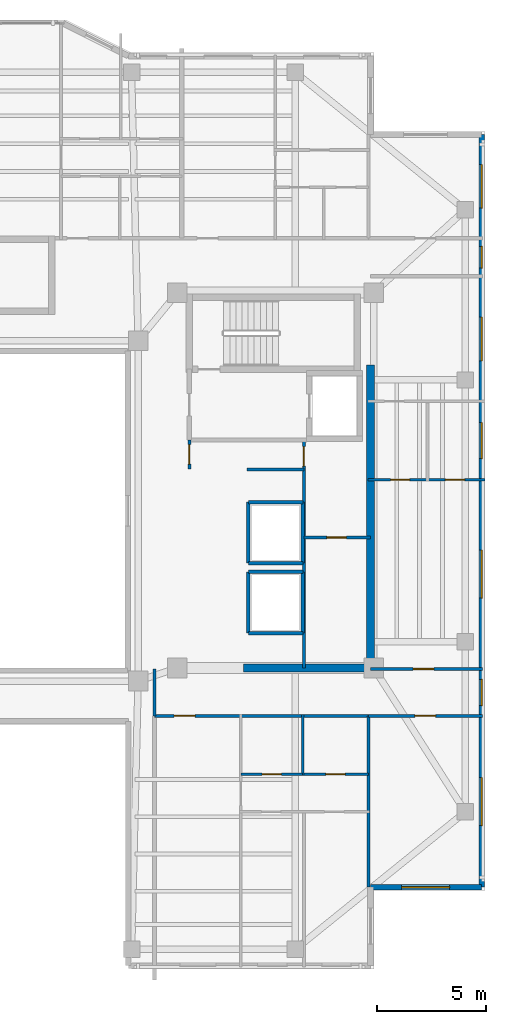
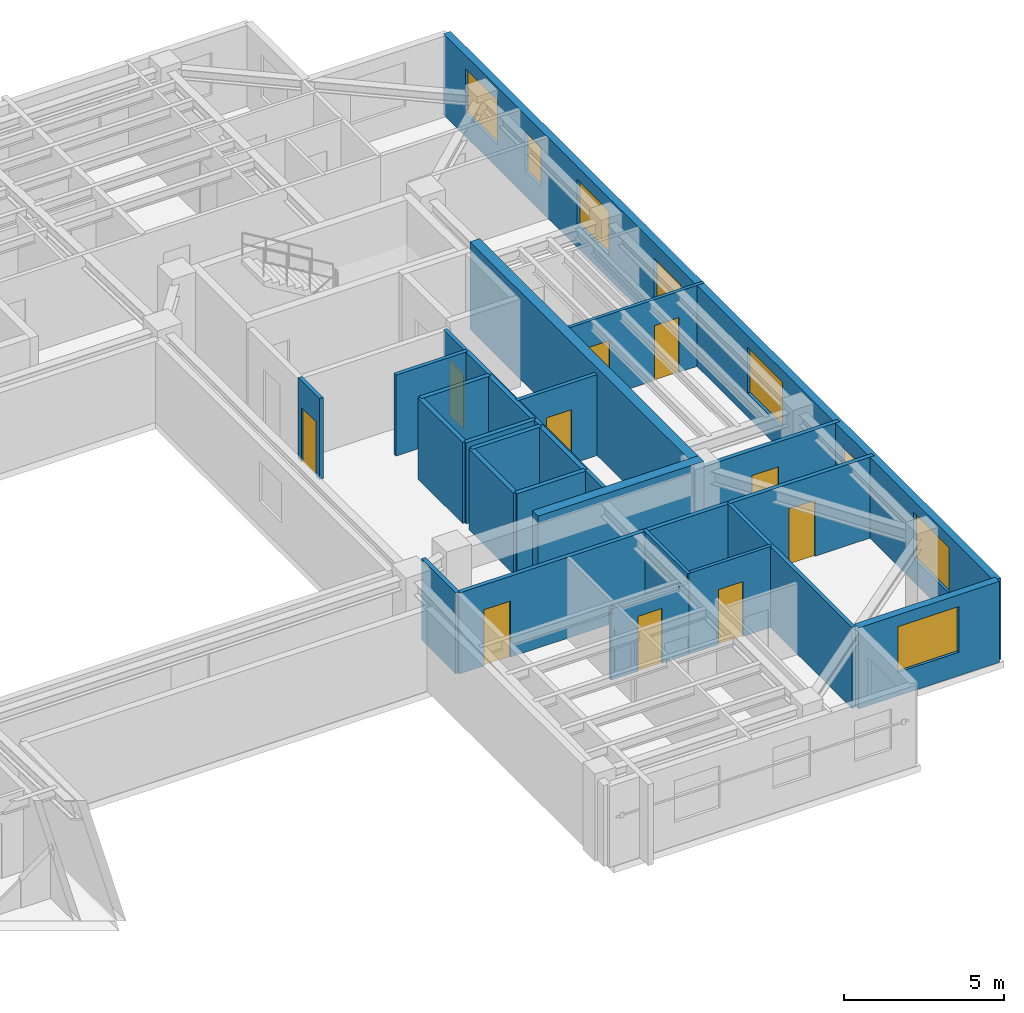
# One storey, part 6 of 12: 25 walls, 10 doors, 8 windows, 18 openings.
"""IFC4 building model written with IfcOpenShell, lengths in metres."""

import ifcopenshell
import ifcopenshell.guid

model = None  # the IFC model being written
_history = None  # IfcOwnerHistory: only IFC2X3 demands one
_inside = {}  # id of a spatial element -> (the spatial element, [elements in it])
_under = {}  # id of a project, library or spatial element -> (it, [spatial elements below it])
_declared = {}  # id of a project -> (the project, [libraries it declares])
_typed = {}  # id of a type object -> (the type object, [elements of that type])
_made_of = {}  # id of a material, layer set ... -> (it, [elements and type objects made of it])


def new_model(schema):
    """Start an empty IFC model of exactly this schema.

    Asked for "IFC4X3", IfcOpenShell would pick the latest addendum, in which some entities
    have other attributes; the version numbers below select the first issue.
    IFC2X3 requires an IfcOwnerHistory on every rooted entity: one is made here for all.
    """
    global model, _history
    if schema == "IFC4X3":
        model = ifcopenshell.file(schema_version=(4, 3, 0, 0))
    else:
        model = ifcopenshell.file(schema=schema)
    _inside.clear()
    _under.clear()
    _declared.clear()
    _typed.clear()
    _made_of.clear()
    _history = None
    if model.schema == "IFC2X3":
        org = make("IfcOrganization", Name="unknown")
        user = make(
            "IfcPersonAndOrganization",
            ThePerson=make("IfcPerson", FamilyName="unknown"),
            TheOrganization=org,
        )
        app = make(
            "IfcApplication",
            ApplicationDeveloper=org,
            Version="unknown",
            ApplicationFullName="unknown",
            ApplicationIdentifier="unknown",
        )
        _history = make(
            "IfcOwnerHistory",
            OwningUser=user,
            OwningApplication=app,
            ChangeAction="ADDED",
            CreationDate=0,
        )
    return model


def make(cls, **values):
    """One entity of the class cls with the attributes given. An attribute that is None is left unset."""
    return model.create_entity(
        cls, **{name: value for name, value in values.items() if value is not None}
    )


def rooted(cls, **values):
    """An entity with a GlobalId (a new one), such as an element, a storey or a relation."""
    return make(cls, GlobalId=ifcopenshell.guid.new(), OwnerHistory=_history, **values)


def si_unit(unit_type, name, prefix=None):
    """IfcSIUnit, for example si_unit("LENGTHUNIT", "METRE", prefix="MILLI")."""
    return make("IfcSIUnit", UnitType=unit_type, Prefix=prefix, Name=name)


def assignment(units):
    """IfcUnitAssignment: the units of a project."""
    return None if units is None else make("IfcUnitAssignment", Units=units)


def point(xyz):
    """IfcCartesianPoint."""
    return None if xyz is None else make("IfcCartesianPoint", Coordinates=xyz)


def direction(xyz):
    """IfcDirection."""
    return None if xyz is None else make("IfcDirection", DirectionRatios=xyz)


def frame(location, z_axis=None, x_axis=None):
    """IfcAxis2Placement3D, a coordinate frame: its origin and axes. An axis left out is left unset."""
    return make(
        "IfcAxis2Placement3D",
        Location=point(location),
        Axis=direction(z_axis),
        RefDirection=direction(x_axis),
    )


def frame_2d(location, x_axis=None):
    """IfcAxis2Placement2D, a coordinate frame in the plane: its origin and x axis."""
    return make(
        "IfcAxis2Placement2D", Location=point(location), RefDirection=direction(x_axis)
    )


def origin():
    """The frame at (0, 0, 0) with its axes left unset."""
    return frame((0.0, 0.0, 0.0))


def place(relative_to, where):
    """IfcLocalPlacement: puts the frame where relative to a parent placement (None: the world)."""
    return make(
        "IfcLocalPlacement", PlacementRelTo=relative_to, RelativePlacement=where
    )


def context(
    kind, dimensions, precision=None, world=None, true_north=None, identifier=None
):
    """IfcGeometricRepresentationContext, for example the 3D "Model" context."""
    return make(
        "IfcGeometricRepresentationContext",
        ContextIdentifier=identifier,
        ContextType=kind,
        CoordinateSpaceDimension=dimensions,
        Precision=precision,
        WorldCoordinateSystem=world,
        TrueNorth=true_north,
    )


def subcontext(parent, identifier, kind, view, scale=None):
    """IfcGeometricRepresentationSubContext, for example "Body" below "Model"."""
    return make(
        "IfcGeometricRepresentationSubContext",
        ContextIdentifier=identifier,
        ContextType=kind,
        ParentContext=parent,
        TargetScale=scale,
        TargetView=view,
    )


def project(units=None, contexts=None):
    """IfcProject with its units and contexts."""
    return rooted(
        "IfcProject",
        Name="project",
        RepresentationContexts=contexts,
        UnitsInContext=assignment(units),
    )


def spatial(cls, under=None, at=None, **own):
    """A site, building, storey or space (cls), placed at a placement, below another one or the project."""
    s = rooted(cls, ObjectPlacement=at, **own)
    if under is not None:
        _under.setdefault(under.id(), (under, []))[1].append(s)
    return s


def profile(cls, at=None, kind="AREA", **sizes):
    """A parametric profile (cls). Its sizes go by their IFC names, for example OverallWidth=200.0."""
    return make(cls, ProfileType=kind, Position=at, **sizes)


def rectangle(**sizes):
    """IfcRectangleProfileDef."""
    return profile("IfcRectangleProfileDef", **sizes)


def extrude(swept, where, along, depth):
    """IfcExtrudedAreaSolid: the profile swept, set in the frame where, extruded along a direction by depth."""
    return make(
        "IfcExtrudedAreaSolid",
        SweptArea=swept,
        Position=where,
        ExtrudedDirection=direction(along),
        Depth=depth,
    )


def shape(context_of_items, identifier, shape_type, items):
    """IfcShapeRepresentation: the items that make up one representation, for example the "Body"."""
    return make(
        "IfcShapeRepresentation",
        ContextOfItems=context_of_items,
        RepresentationIdentifier=identifier,
        RepresentationType=shape_type,
        Items=items,
    )


def material(Name=None, Category=None):
    """IfcMaterial."""
    return make("IfcMaterial", Name=Name, Category=Category)


def layer(
    of_material, thickness, ventilated=None, Name=None, Category=None, Priority=None
):
    """IfcMaterialLayer: one layer of a wall or slab, of a material (None: an air gap)."""
    return make(
        "IfcMaterialLayer",
        Material=of_material,
        LayerThickness=thickness,
        IsVentilated=ventilated,
        Name=Name,
        Category=Category,
        Priority=Priority,
    )


def layer_set(layers, Name=None):
    """IfcMaterialLayerSet."""
    return make("IfcMaterialLayerSet", MaterialLayers=layers, LayerSetName=Name)


def made_of(thing, what):
    """Note that an element or type object is made of a material, layer set ...; save() writes the relation."""
    if what is not None:
        _made_of.setdefault(what.id(), (what, []))[1].append(thing)
    return thing


def type_object(cls, material=None, **own):
    """A type object (cls), such as IfcWallType, which elements share."""
    return made_of(rooted(cls, **own), material)


def element(
    cls,
    number,
    at=None,
    inside=None,
    cuts=None,
    type_object=None,
    material=None,
    context=None,
    identifier="Body",
    shape_type=None,
    held_by="IfcProductDefinitionShape",
    body=None,
    shapes=None,
    **own,
):
    """One element of the class cls, such as IfcWall. Its Tag is "e" and its number.

    at: its placement. inside: the storey or other place that contains it. cuts: it is an
    opening in that element (IfcRelVoidsElement). A single representation is given by context,
    identifier, shape_type and body (its items); several are given by shapes. held_by: the class
    of the entity that holds the representations. save() writes the other relations.
    """
    e = rooted(cls, Tag="e%d" % number, ObjectPlacement=at, **own)
    if body is not None:
        shapes = [shape(context, identifier, shape_type, body)]
    if shapes is not None:
        e.Representation = make(held_by, Representations=shapes)
    if inside is not None:
        _inside.setdefault(inside.id(), (inside, []))[1].append(e)
    if cuts is not None:
        rooted(
            "IfcRelVoidsElement", RelatingBuildingElement=cuts, RelatedOpeningElement=e
        )
    if type_object is not None:
        _typed.setdefault(type_object.id(), (type_object, []))[1].append(e)
    return made_of(e, material)


def fill(opening, filler):
    """IfcRelFillsElement: the door or window that sits in an opening."""
    return rooted(
        "IfcRelFillsElement",
        RelatingOpeningElement=opening,
        RelatedBuildingElement=filler,
    )


def aggregate(whole, parts):
    """IfcRelAggregates: a whole, such as a stair, and the parts it consists of."""
    return rooted("IfcRelAggregates", RelatingObject=whole, RelatedObjects=parts)


def save(model, path):
    """Write the relations noted so far, then the file.

    IfcRelAggregates (storeys below a building ...), IfcRelContainedInSpatialStructure (elements
    in a storey), IfcRelDefinesByType, IfcRelAssociatesMaterial and IfcRelDeclares: one each for
    every whole, place, type object, material and project.
    """
    for whole, parts in _under.values():
        aggregate(whole, parts)
    for where, things in _inside.values():
        rooted(
            "IfcRelContainedInSpatialStructure",
            RelatedElements=things,
            RelatingStructure=where,
        )
    for kind, things in _typed.values():
        rooted("IfcRelDefinesByType", RelatedObjects=things, RelatingType=kind)
    for what, things in _made_of.values():
        rooted("IfcRelAssociatesMaterial", RelatedObjects=things, RelatingMaterial=what)
    for by, libraries in _declared.values():
        rooted("IfcRelDeclares", RelatingContext=by, RelatedDefinitions=libraries)
    model.write(path)


model = new_model("IFC4")

# Units and contexts
model_context = context("Model", 3, precision=1e-05, world=origin(), true_north=direction((0.0, 1.0)))
body_context = subcontext(model_context, "Body", "Model", "MODEL_VIEW")
ifc_project = project(units=[si_unit("LENGTHUNIT", "METRE"), si_unit("AREAUNIT", "SQUARE_METRE"), si_unit("VOLUMEUNIT", "CUBIC_METRE"), si_unit("PLANEANGLEUNIT", "RADIAN"), si_unit("MASSUNIT", "GRAM", prefix="KILO")], contexts=[model_context])

# Site, building, storey
site_placement = place(None, origin())
site = spatial("IfcSite", under=ifc_project, at=site_placement, CompositionType="ELEMENT")
building_placement = place(site_placement, origin())
building = spatial("IfcBuilding", under=site, at=building_placement, Name="Tarnavaz Court Tower", CompositionType="ELEMENT")
storey_placement = place(building_placement, frame((0.0, 0.0, 220.39990234375)))
storey = spatial("IfcBuildingStorey", under=building, at=storey_placement, Name="L60", CompositionType="ELEMENT", Elevation=220.39990234375)

# Walls
ifc_material_1 = material(Name="Concrete C50/60", Category="concrete")
ifc_layer_1 = layer(ifc_material_1, 0.35009765625)
ifc_layer_set_1 = layer_set([ifc_layer_1], Name="Concrete C50/60")
wall_type_1 = type_object("IfcWallType", Name="WL-CORE-350-C50", PredefinedType="SHEAR", material=ifc_layer_set_1)
wall_1_placement = place(storey_placement, frame((18.449951171875, -7.375, 0.0), z_axis=(0.0, 0.0, 1.0), x_axis=(0.0, 1.0, 0.0)))
element("IfcWall", 1, at=wall_1_placement, inside=storey, type_object=wall_type_1, Name="L60 East Core Shear Wall 047", PredefinedType="SHEAR", context=body_context, shape_type="SweptSolid", body=[
    extrude(rectangle(XDim=14.050048828125, YDim=0.35009765625, at=frame_2d((7.02490234375, 0.0))), origin(), (0.0, 0.0, 1.0), 3.35009765625),
])
wall_2_placement = place(storey_placement, frame((12.625, -7.199951171875, 0.0), z_axis=(0.0, 0.0, 1.0), x_axis=(1.0, 0.0, 0.0)))
element("IfcWall", 2, at=wall_2_placement, inside=storey, type_object=wall_type_1, Name="L60 East Core South Shear Wall 048", PredefinedType="SHEAR", context=body_context, shape_type="SweptSolid", body=[
    extrude(rectangle(XDim=6.0, YDim=0.35009765625, at=frame_2d((3.0, 0.0))), origin(), (0.0, 0.0, 1.0), 3.35009765625),
])

# Wall, openings, windows
ifc_material_2 = material(Name="Precast Concrete C40/50", Category="concrete")
ifc_layer_2 = layer(ifc_material_2, 0.260009765625)
ifc_layer_set_2 = layer_set([ifc_layer_2], Name="Precast Concrete C40/50")
wall_type_2 = type_object("IfcWallType", Name="WL-EXT-260", PredefinedType="SOLIDWALL", material=ifc_layer_set_2)
wall_3_placement = place(storey_placement, frame((23.550048828125, 17.25, 0.0), z_axis=(0.0, 0.0, 1.0), x_axis=(0.0, -1.0, 0.0)))
wall_3 = element("IfcWall", 3, at=wall_3_placement, inside=storey, type_object=wall_type_2, Name="L60 Exterior Terracotta Facade Wall 12", PredefinedType="SOLIDWALL", context=body_context, shape_type="SweptSolid", body=[
    extrude(rectangle(XDim=34.5, YDim=0.260009765625, at=frame_2d((17.25, 0.0))), origin(), (0.0, 0.0, 1.0), 3.10009765625),
])
opening_1_placement = place(wall_3_placement, frame((1.375, 0.0, 0.89990234375)))
opening_1 = element("IfcOpeningElement", 4, at=opening_1_placement, cuts=wall_3, Name="Opening W08", PredefinedType="OPENING", context=body_context, shape_type="SweptSolid", body=[
    extrude(rectangle(XDim=2.0, YDim=1.699951171875, at=frame_2d((1.0, 0.85009765625))), frame((0.0, 0.139892578125, 0.0), z_axis=(0.0, -1.0, 0.0), x_axis=(1.0, 0.0, 0.0)), (0.0, 0.0, 1.0), 0.280029296875),
])
opening_2_placement = place(wall_3_placement, frame((5.125, 0.0, 0.949951171875)))
opening_2 = element("IfcOpeningElement", 5, at=opening_2_placement, cuts=wall_3, Name="Opening W14", PredefinedType="OPENING", context=body_context, shape_type="SweptSolid", body=[
    extrude(rectangle(XDim=1.0, YDim=1.5, at=frame_2d((0.5, 0.75))), frame((0.0, 0.139892578125, 0.0), z_axis=(0.0, -1.0, 0.0), x_axis=(1.0, 0.0, 0.0)), (0.0, 0.0, 1.0), 0.280029296875),
])
opening_3_placement = place(wall_3_placement, frame((8.375, 0.0, 0.89990234375)))
opening_3 = element("IfcOpeningElement", 6, at=opening_3_placement, cuts=wall_3, Name="Opening W08", PredefinedType="OPENING", context=body_context, shape_type="SweptSolid", body=[
    extrude(rectangle(XDim=2.0, YDim=1.699951171875, at=frame_2d((1.0, 0.85009765625))), frame((0.0, 0.139892578125, 0.0), z_axis=(0.0, -1.0, 0.0), x_axis=(1.0, 0.0, 0.0)), (0.0, 0.0, 1.0), 0.280029296875),
])
opening_4_placement = place(wall_3_placement, frame((13.199951171875, 0.0, 0.89990234375)))
opening_4 = element("IfcOpeningElement", 7, at=opening_4_placement, cuts=wall_3, Name="Opening W02", PredefinedType="OPENING", context=body_context, shape_type="SweptSolid", body=[
    extrude(rectangle(XDim=1.64990234375, YDim=1.60009765625, at=frame_2d((0.824951171875, 0.800048828125))), frame((0.0, 0.139892578125, 0.0), z_axis=(0.0, -1.0, 0.0), x_axis=(1.0, 0.0, 0.0)), (0.0, 0.0, 1.0), 0.280029296875),
])
opening_5_placement = place(wall_3_placement, frame((19.050048828125, 0.0, 0.89990234375)))
opening_5 = element("IfcOpeningElement", 8, at=opening_5_placement, cuts=wall_3, Name="Opening W07", PredefinedType="OPENING", context=body_context, shape_type="SweptSolid", body=[
    extrude(rectangle(XDim=2.199951171875, YDim=1.75, at=frame_2d((1.10009765625, 0.875))), frame((0.0, 0.139892578125, 0.0), z_axis=(0.0, -1.0, 0.0), x_axis=(1.0, 0.0, 0.0)), (0.0, 0.0, 1.0), 0.280029296875),
])
opening_6_placement = place(wall_3_placement, frame((24.97509765625, 0.0, 0.949951171875)))
opening_6 = element("IfcOpeningElement", 9, at=opening_6_placement, cuts=wall_3, Name="Opening W05", PredefinedType="OPENING", context=body_context, shape_type="SweptSolid", body=[
    extrude(rectangle(XDim=1.199951171875, YDim=1.5, at=frame_2d((0.60009765625, 0.75))), frame((0.0, 0.139892578125, 0.0), z_axis=(0.0, -1.0, 0.0), x_axis=(1.0, 0.0, 0.0)), (0.0, 0.0, 1.0), 0.280029296875),
])
opening_7_placement = place(wall_3_placement, frame((29.47509765625, 0.0, 0.89990234375)))
opening_7 = element("IfcOpeningElement", 10, at=opening_7_placement, cuts=wall_3, Name="Opening W07", PredefinedType="OPENING", context=body_context, shape_type="SweptSolid", body=[
    extrude(rectangle(XDim=2.199951171875, YDim=1.75, at=frame_2d((1.10009765625, 0.875))), frame((0.0, 0.139892578125, 0.0), z_axis=(0.0, -1.0, 0.0), x_axis=(1.0, 0.0, 0.0)), (0.0, 0.0, 1.0), 0.280029296875),
])
ifc_material_3 = material(Name="Double-Glazed Solar Low-E Glass", Category="glass")
window_type_1 = type_object("IfcWindowType", Name="WN-APT-1000", PartitioningType="SINGLE_PANEL", PredefinedType="WINDOW", material=ifc_material_3)
window_1_placement = place(opening_2_placement, origin())
window_1 = element("IfcWindow", 11, at=window_1_placement, inside=storey, type_object=window_type_1, Name="L60 North-East Corner Corridor Window", OverallHeight=1.5, OverallWidth=1.0, PartitioningType="SINGLE_PANEL", PredefinedType="WINDOW", context=body_context, shape_type="SweptSolid", body=[
    extrude(rectangle(XDim=1.0, YDim=1.5, at=frame_2d((0.5, 0.75))), frame((0.0, 0.030029296875, 0.0), z_axis=(0.0, -1.0, 0.0), x_axis=(1.0, 0.0, 0.0)), (0.0, 0.0, 1.0), 0.06005859375),
])
fill(opening_2, window_1)
window_type_2 = type_object("IfcWindowType", Name="WN-APT-1200", PartitioningType="SINGLE_PANEL", PredefinedType="WINDOW", material=ifc_material_3)
window_2_placement = place(opening_6_placement, origin())
window_2 = element("IfcWindow", 12, at=window_2_placement, inside=storey, type_object=window_type_2, Name="L60 South-East Corner Corridor Window", OverallHeight=1.5, OverallWidth=1.199951171875, PartitioningType="SINGLE_PANEL", PredefinedType="WINDOW", context=body_context, shape_type="SweptSolid", body=[
    extrude(rectangle(XDim=1.199951171875, YDim=1.5, at=frame_2d((0.60009765625, 0.75))), frame((0.0, 0.030029296875, 0.0), z_axis=(0.0, -1.0, 0.0), x_axis=(1.0, 0.0, 0.0)), (0.0, 0.0, 1.0), 0.06005859375),
])
fill(opening_6, window_2)
window_type_3 = type_object("IfcWindowType", Name="WN-APT-1650", PartitioningType="DOUBLE_PANEL_VERTICAL", PredefinedType="WINDOW", material=ifc_material_3)
window_3_placement = place(opening_4_placement, origin())
window_3 = element("IfcWindow", 13, at=window_3_placement, inside=storey, type_object=window_type_3, Name="L60 Flat 08 Bathroom Window", OverallHeight=1.60009765625, OverallWidth=1.64990234375, PartitioningType="SINGLE_PANEL", PredefinedType="WINDOW", context=body_context, shape_type="SweptSolid", body=[
    extrude(rectangle(XDim=1.64990234375, YDim=1.60009765625, at=frame_2d((0.824951171875, 0.800048828125))), frame((0.0, 0.030029296875, 0.0), z_axis=(0.0, -1.0, 0.0), x_axis=(1.0, 0.0, 0.0)), (0.0, 0.0, 1.0), 0.06005859375),
])
fill(opening_4, window_3)
window_type_4 = type_object("IfcWindowType", Name="WN-APT-2000", PartitioningType="DOUBLE_PANEL_VERTICAL", PredefinedType="WINDOW", material=ifc_material_3)
window_4_placement = place(opening_1_placement, origin())
window_4 = element("IfcWindow", 14, at=window_4_placement, inside=storey, type_object=window_type_4, Name="L60 North-East Corner Sunroom Study Window", OverallHeight=1.699951171875, OverallWidth=2.0, PartitioningType="SINGLE_PANEL", PredefinedType="WINDOW", context=body_context, shape_type="SweptSolid", body=[
    extrude(rectangle(XDim=2.0, YDim=1.699951171875, at=frame_2d((1.0, 0.85009765625))), frame((0.0, 0.030029296875, 0.0), z_axis=(0.0, -1.0, 0.0), x_axis=(1.0, 0.0, 0.0)), (0.0, 0.0, 1.0), 0.06005859375),
])
fill(opening_1, window_4)
window_5_placement = place(opening_3_placement, origin())
window_5 = element("IfcWindow", 15, at=window_5_placement, inside=storey, type_object=window_type_4, Name="L60 Flat 08 Study Room Window", OverallHeight=1.699951171875, OverallWidth=2.0, PartitioningType="SINGLE_PANEL", PredefinedType="WINDOW", context=body_context, shape_type="SweptSolid", body=[
    extrude(rectangle(XDim=2.0, YDim=1.699951171875, at=frame_2d((1.0, 0.85009765625))), frame((0.0, 0.030029296875, 0.0), z_axis=(0.0, -1.0, 0.0), x_axis=(1.0, 0.0, 0.0)), (0.0, 0.0, 1.0), 0.06005859375),
])
fill(opening_3, window_5)
window_type_5 = type_object("IfcWindowType", Name="WN-APT-2200", PartitioningType="TRIPLE_PANEL_VERTICAL", PredefinedType="WINDOW", material=ifc_material_3)
window_6_placement = place(opening_5_placement, origin())
window_6 = element("IfcWindow", 16, at=window_6_placement, inside=storey, type_object=window_type_5, Name="L60 Flat 08 Studio Living and Sleeping Room Window", OverallHeight=1.75, OverallWidth=2.199951171875, PartitioningType="SINGLE_PANEL", PredefinedType="WINDOW", context=body_context, shape_type="SweptSolid", body=[
    extrude(rectangle(XDim=2.199951171875, YDim=1.75, at=frame_2d((1.10009765625, 0.875))), frame((0.0, 0.030029296875, 0.0), z_axis=(0.0, -1.0, 0.0), x_axis=(1.0, 0.0, 0.0)), (0.0, 0.0, 1.0), 0.06005859375),
])
fill(opening_5, window_6)
window_7_placement = place(opening_7_placement, origin())
window_7 = element("IfcWindow", 17, at=window_7_placement, inside=storey, type_object=window_type_5, Name="L60 South-East Corner Reading Room Window", OverallHeight=1.75, OverallWidth=2.199951171875, PartitioningType="SINGLE_PANEL", PredefinedType="WINDOW", context=body_context, shape_type="SweptSolid", body=[
    extrude(rectangle(XDim=2.199951171875, YDim=1.75, at=frame_2d((1.10009765625, 0.875))), frame((0.0, 0.030029296875, 0.0), z_axis=(0.0, -1.0, 0.0), x_axis=(1.0, 0.0, 0.0)), (0.0, 0.0, 1.0), 0.06005859375),
])
fill(opening_7, window_7)

# Wall, opening, window
wall_4_placement = place(storey_placement, frame((23.550048828125, -17.25, 0.0), z_axis=(0.0, 0.0, 1.0), x_axis=(-1.0, 0.0, 0.0)))
wall_4 = element("IfcWall", 18, at=wall_4_placement, inside=storey, type_object=wall_type_2, Name="L60 Exterior Terracotta Facade Wall 13", PredefinedType="SOLIDWALL", context=body_context, shape_type="SweptSolid", body=[
    extrude(rectangle(XDim=5.10009765625, YDim=0.260009765625, at=frame_2d((2.550048828125, 0.0))), origin(), (0.0, 0.0, 1.0), 3.10009765625),
])
opening_8_placement = place(wall_4_placement, frame((1.47509765625, 0.0, 0.89990234375)))
opening_8 = element("IfcOpeningElement", 19, at=opening_8_placement, cuts=wall_4, Name="Opening W07", PredefinedType="OPENING", context=body_context, shape_type="SweptSolid", body=[
    extrude(rectangle(XDim=2.199951171875, YDim=1.75, at=frame_2d((1.10009765625, 0.875))), frame((0.0, 0.139892578125, 0.0), z_axis=(0.0, -1.0, 0.0), x_axis=(1.0, 0.0, 0.0)), (0.0, 0.0, 1.0), 0.280029296875),
])
window_8_placement = place(opening_8_placement, origin())
window_8 = element("IfcWindow", 20, at=window_8_placement, inside=storey, type_object=window_type_5, Name="L60 South-East Corner Reading Room Window", OverallHeight=1.75, OverallWidth=2.199951171875, PartitioningType="SINGLE_PANEL", PredefinedType="WINDOW", context=body_context, shape_type="SweptSolid", body=[
    extrude(rectangle(XDim=2.199951171875, YDim=1.75, at=frame_2d((1.10009765625, 0.875))), frame((0.0, 0.030029296875, 0.0), z_axis=(0.0, -1.0, 0.0), x_axis=(1.0, 0.0, 0.0)), (0.0, 0.0, 1.0), 0.06005859375),
])
fill(opening_8, window_8)

# Wall, opening, door
ifc_material_4 = material(Name="Gypsum Fire-Board on Acoustic Metal Stud", Category="masonry")
ifc_layer_3 = layer(ifc_material_4, 0.14990234375)
ifc_layer_set_3 = layer_set([ifc_layer_3], Name="Gypsum Fire-Board on Acoustic Metal Stud")
wall_type_3 = type_object("IfcWallType", Name="WL-FIRE-150", PredefinedType="PARTITIONING", material=ifc_layer_set_3)
wall_5_placement = place(storey_placement, frame((8.550048828125, -9.39990234375, 0.0), z_axis=(0.0, 0.0, 1.0), x_axis=(1.0, 0.0, 0.0)))
wall_5 = element("IfcWall", 21, at=wall_5_placement, inside=storey, type_object=wall_type_3, Name="L60 SE Lobby Wall 058", PredefinedType="PARTITIONING", context=body_context, shape_type="SweptSolid", body=[
    extrude(rectangle(XDim=9.800048828125, YDim=0.14990234375, at=frame_2d((4.89990234375, 0.0))), origin(), (0.0, 0.0, 1.0), 3.10009765625),
])
opening_9_placement = place(wall_5_placement, frame((0.89990234375, 0.0, 0.0)))
opening_9 = element("IfcOpeningElement", 22, at=opening_9_placement, cuts=wall_5, Name="Opening D06", PredefinedType="OPENING", context=body_context, shape_type="SweptSolid", body=[
    extrude(rectangle(XDim=0.9599609375, YDim=2.14990234375, at=frame_2d((0.47998046875, 1.074951171875))), frame((0.0, 0.0849609375, 0.0), z_axis=(0.0, -1.0, 0.0), x_axis=(1.0, 0.0, 0.0)), (0.0, 0.0, 1.0), 0.169921875),
])
ifc_material_5 = material(Name="Fire-Rated Hardwood Timber Core", Category="wood")
door_type_1 = type_object("IfcDoorType", Name="DR-FD60-950", OperationType="NOTDEFINED", PredefinedType="DOOR", material=ifc_material_5)
door_1_placement = place(opening_9_placement, origin())
door_1 = element("IfcDoor", 23, at=door_1_placement, inside=storey, type_object=door_type_1, Name="L60 Flat 06 Entrance Door", OperationType="SINGLE_SWING_LEFT", OverallHeight=2.14990234375, OverallWidth=0.9599609375, PredefinedType="DOOR", context=body_context, shape_type="SweptSolid", body=[
    extrude(rectangle(XDim=0.9599609375, YDim=2.14990234375, at=frame_2d((0.47998046875, 1.074951171875))), frame((0.0, 0.02490234375, 0.0), z_axis=(0.0, -1.0, 0.0), x_axis=(1.0, 0.0, 0.0)), (0.0, 0.0, 1.0), 0.050048828125),
])
fill(opening_9, door_1)

# Wall
wall_6_placement = place(storey_placement, frame((8.550048828125, -9.39990234375, 0.0), z_axis=(0.0, 0.0, 1.0), x_axis=(0.0, 1.0, 0.0)))
element("IfcWall", 24, at=wall_6_placement, inside=storey, type_object=wall_type_3, Name="L60 East Spine End Wall 060", PredefinedType="PARTITIONING", context=body_context, shape_type="SweptSolid", body=[
    extrude(rectangle(XDim=2.14990234375, YDim=0.14990234375, at=frame_2d((1.074951171875, 0.0))), origin(), (0.0, 0.0, 1.0), 3.10009765625),
])

# Wall, opening, door
wall_7_placement = place(storey_placement, frame((18.449951171875, -7.25, 0.0), z_axis=(0.0, 0.0, 1.0), x_axis=(1.0, 0.0, 0.0)))
wall_7 = element("IfcWall", 25, at=wall_7_placement, inside=storey, type_object=wall_type_3, Name="L60 Interior Partition 102", PredefinedType="PARTITIONING", context=body_context, shape_type="SweptSolid", body=[
    extrude(rectangle(XDim=5.130126953125, YDim=0.14990234375, at=frame_2d((2.56494140625, 0.0))), origin(), (0.0, 0.0, 1.0), 3.10009765625),
])
opening_10_placement = place(wall_7_placement, frame((1.949951171875, 0.0, 0.0)))
opening_10 = element("IfcOpeningElement", 26, at=opening_10_placement, cuts=wall_7, Name="Opening D06", PredefinedType="OPENING", context=body_context, shape_type="SweptSolid", body=[
    extrude(rectangle(XDim=0.9599609375, YDim=2.14990234375, at=frame_2d((0.47998046875, 1.074951171875))), frame((0.0, 0.0849609375, 0.0), z_axis=(0.0, -1.0, 0.0), x_axis=(1.0, 0.0, 0.0)), (0.0, 0.0, 1.0), 0.169921875),
])
door_2_placement = place(opening_10_placement, origin())
door_2 = element("IfcDoor", 27, at=door_2_placement, inside=storey, type_object=door_type_1, Name="L60 Flat 08 Entrance Door", OperationType="SINGLE_SWING_LEFT", OverallHeight=2.14990234375, OverallWidth=0.9599609375, PredefinedType="DOOR", context=body_context, shape_type="SweptSolid", body=[
    extrude(rectangle(XDim=0.9599609375, YDim=2.14990234375, at=frame_2d((0.47998046875, 1.074951171875))), frame((0.0, 0.02490234375, 0.0), z_axis=(0.0, -1.0, 0.0), x_axis=(1.0, 0.0, 0.0)), (0.0, 0.0, 1.0), 0.050048828125),
])
fill(opening_10, door_2)

wall_8_placement = place(storey_placement, frame((18.35009765625, -9.39990234375, 0.0), z_axis=(0.0, 0.0, 1.0), x_axis=(1.0, 0.0, 0.0)))
wall_8 = element("IfcWall", 28, at=wall_8_placement, inside=storey, type_object=wall_type_3, Name="L60 Interior Partition 111", PredefinedType="PARTITIONING", context=body_context, shape_type="SweptSolid", body=[
    extrude(rectangle(XDim=5.22998046875, YDim=0.14990234375, at=frame_2d((2.614990234375, 0.0))), origin(), (0.0, 0.0, 1.0), 3.10009765625),
])
opening_11_placement = place(wall_8_placement, frame((2.139892578125, 0.0, 0.0)))
opening_11 = element("IfcOpeningElement", 29, at=opening_11_placement, cuts=wall_8, Name="Opening D13", PredefinedType="OPENING", context=body_context, shape_type="SweptSolid", body=[
    extrude(rectangle(XDim=0.949951171875, YDim=2.14990234375, at=frame_2d((0.47509765625, 1.074951171875))), frame((0.0, 0.0849609375, 0.0), z_axis=(0.0, -1.0, 0.0), x_axis=(1.0, 0.0, 0.0)), (0.0, 0.0, 1.0), 0.169921875),
])
ifc_material_6 = material(Name="Engineered Oak Timber", Category="wood")
door_type_2 = type_object("IfcDoorType", Name="DR-INT-950", OperationType="NOTDEFINED", PredefinedType="DOOR", material=ifc_material_6)
door_3_placement = place(opening_11_placement, origin())
door_3 = element("IfcDoor", 30, at=door_3_placement, inside=storey, type_object=door_type_2, Name="L60 SE Reading Room Door", OperationType="SINGLE_SWING_RIGHT", OverallHeight=2.14990234375, OverallWidth=0.949951171875, PredefinedType="DOOR", context=body_context, shape_type="SweptSolid", body=[
    extrude(rectangle(XDim=0.949951171875, YDim=2.14990234375, at=frame_2d((0.47509765625, 1.074951171875))), frame((0.0, 0.02490234375, 0.0), z_axis=(0.0, -1.0, 0.0), x_axis=(1.0, 0.0, 0.0)), (0.0, 0.0, 1.0), 0.050048828125),
])
fill(opening_11, door_3)

ifc_material_7 = material(Name="Moisture-Resistant Gypsum Board Partition", Category="masonry")
ifc_layer_4 = layer(ifc_material_7, 0.1201171875)
ifc_layer_set_4 = layer_set([ifc_layer_4], Name="Moisture-Resistant Gypsum Board Partition")
wall_type_4 = type_object("IfcWallType", Name="WL-PART-120", PredefinedType="PARTITIONING", material=ifc_layer_set_4)
wall_9_placement = place(storey_placement, frame((12.511962890625, -12.080078125, 0.0), z_axis=(0.0, 0.0, 1.0), x_axis=(1.0, 0.0, 0.0)))
wall_9 = element("IfcWall", 31, at=wall_9_placement, inside=storey, type_object=wall_type_4, Name="L60 Interior Partition 093", PredefinedType="PARTITIONING", context=body_context, shape_type="SweptSolid", body=[
    extrude(rectangle(XDim=2.8310546875, YDim=0.1201171875, at=frame_2d((1.41552734375, 0.0))), origin(), (0.0, 0.0, 1.0), 2.72509765625),
])
opening_12_placement = place(wall_9_placement, frame((0.97509765625, 0.0, 0.0)))
opening_12 = element("IfcOpeningElement", 32, at=opening_12_placement, cuts=wall_9, Name="Opening D14", PredefinedType="OPENING", context=body_context, shape_type="SweptSolid", body=[
    extrude(rectangle(XDim=0.8798828125, YDim=2.10009765625, at=frame_2d((0.43994140625, 1.050048828125))), frame((0.0, 0.070068359375, 0.0), z_axis=(0.0, -1.0, 0.0), x_axis=(1.0, 0.0, 0.0)), (0.0, 0.0, 1.0), 0.14013671875),
])
door_type_3 = type_object("IfcDoorType", Name="DR-INT-900", OperationType="NOTDEFINED", PredefinedType="DOOR", material=ifc_material_6)
door_4_placement = place(opening_12_placement, origin())
door_4 = element("IfcDoor", 33, at=door_4_placement, inside=storey, type_object=door_type_3, Name="L60 Flat 06 Kitchen Door", OperationType="SINGLE_SWING_LEFT", OverallHeight=2.10009765625, OverallWidth=0.8798828125, PredefinedType="DOOR", context=body_context, shape_type="SweptSolid", body=[
    extrude(rectangle(XDim=0.8798828125, YDim=2.10009765625, at=frame_2d((0.43994140625, 1.050048828125))), frame((0.0, 0.02490234375, 0.0), z_axis=(0.0, -1.0, 0.0), x_axis=(1.0, 0.0, 0.0)), (0.0, 0.0, 1.0), 0.050048828125),
])
fill(opening_12, door_4)

wall_10_placement = place(storey_placement, frame((15.343017578125, -12.080078125, 0.0), z_axis=(0.0, 0.0, 1.0), x_axis=(1.0, 0.0, 0.0)))
wall_10 = element("IfcWall", 34, at=wall_10_placement, inside=storey, type_object=wall_type_4, Name="L60 Interior Partition 094", PredefinedType="PARTITIONING", context=body_context, shape_type="SweptSolid", body=[
    extrude(rectangle(XDim=3.007080078125, YDim=0.1201171875, at=frame_2d((1.50341796875, 0.0))), origin(), (0.0, 0.0, 1.0), 3.10009765625),
])
opening_13_placement = place(wall_10_placement, frame((1.06396484375, 0.0, 0.0)))
opening_13 = element("IfcOpeningElement", 35, at=opening_13_placement, cuts=wall_10, Name="Opening D14", PredefinedType="OPENING", context=body_context, shape_type="SweptSolid", body=[
    extrude(rectangle(XDim=0.8798828125, YDim=2.10009765625, at=frame_2d((0.43994140625, 1.050048828125))), frame((0.0, 0.070068359375, 0.0), z_axis=(0.0, -1.0, 0.0), x_axis=(1.0, 0.0, 0.0)), (0.0, 0.0, 1.0), 0.14013671875),
])
door_5_placement = place(opening_13_placement, origin())
door_5 = element("IfcDoor", 36, at=door_5_placement, inside=storey, type_object=door_type_3, Name="L60 Flat 06 Bathroom Door", OperationType="SINGLE_SWING_RIGHT", OverallHeight=2.10009765625, OverallWidth=0.8798828125, PredefinedType="DOOR", context=body_context, shape_type="SweptSolid", body=[
    extrude(rectangle(XDim=0.8798828125, YDim=2.10009765625, at=frame_2d((0.43994140625, 1.050048828125))), frame((0.0, 0.02490234375, 0.0), z_axis=(0.0, -1.0, 0.0), x_axis=(1.0, 0.0, 0.0)), (0.0, 0.0, 1.0), 0.050048828125),
])
fill(opening_13, door_5)

# Wall
wall_11_placement = place(storey_placement, frame((15.343017578125, -12.139892578125, 0.0), z_axis=(0.0, 0.0, 1.0), x_axis=(0.0, 1.0, 0.0)))
element("IfcWall", 37, at=wall_11_placement, inside=storey, type_object=wall_type_4, Name="L60 Interior Partition 096", PredefinedType="PARTITIONING", context=body_context, shape_type="SweptSolid", body=[
    extrude(rectangle(XDim=2.7998046875, YDim=0.1201171875, at=frame_2d((1.39990234375, 0.0))), origin(), (0.0, 0.0, 1.0), 3.10009765625),
])

# Wall, openings, doors
wall_12_placement = place(storey_placement, frame((18.330078125, 1.419921875, 0.0), z_axis=(0.0, 0.0, 1.0), x_axis=(1.0, 0.0, 0.0)))
wall_12 = element("IfcWall", 38, at=wall_12_placement, inside=storey, type_object=wall_type_4, Name="L60 Interior Partition 115", PredefinedType="PARTITIONING", context=body_context, shape_type="SweptSolid", body=[
    extrude(rectangle(XDim=5.369873046875, YDim=0.1201171875, at=frame_2d((2.68505859375, 0.0))), origin(), (0.0, 0.0, 1.0), 3.10009765625),
])
opening_14_placement = place(wall_12_placement, frame((1.0380859375, 0.0, 0.0)))
opening_14 = element("IfcOpeningElement", 39, at=opening_14_placement, cuts=wall_12, Name="Opening D14", PredefinedType="OPENING", context=body_context, shape_type="SweptSolid", body=[
    extrude(rectangle(XDim=0.8798828125, YDim=2.10009765625, at=frame_2d((0.43994140625, 1.050048828125))), frame((0.0, 0.070068359375, 0.0), z_axis=(0.0, -1.0, 0.0), x_axis=(1.0, 0.0, 0.0)), (0.0, 0.0, 1.0), 0.14013671875),
])
opening_15_placement = place(wall_12_placement, frame((3.552978515625, 0.0, 0.0)))
opening_15 = element("IfcOpeningElement", 40, at=opening_15_placement, cuts=wall_12, Name="Opening D14", PredefinedType="OPENING", context=body_context, shape_type="SweptSolid", body=[
    extrude(rectangle(XDim=0.8798828125, YDim=2.10009765625, at=frame_2d((0.43994140625, 1.050048828125))), frame((0.0, 0.070068359375, 0.0), z_axis=(0.0, -1.0, 0.0), x_axis=(1.0, 0.0, 0.0)), (0.0, 0.0, 1.0), 0.14013671875),
])
door_6_placement = place(opening_14_placement, origin())
door_6 = element("IfcDoor", 41, at=door_6_placement, inside=storey, type_object=door_type_3, Name="L60 Flat 08 Kitchen Door", OperationType="SINGLE_SWING_RIGHT", OverallHeight=2.10009765625, OverallWidth=0.8798828125, PredefinedType="DOOR", context=body_context, shape_type="SweptSolid", body=[
    extrude(rectangle(XDim=0.8798828125, YDim=2.10009765625, at=frame_2d((0.43994140625, 1.050048828125))), frame((0.0, 0.02490234375, 0.0), z_axis=(0.0, -1.0, 0.0), x_axis=(1.0, 0.0, 0.0)), (0.0, 0.0, 1.0), 0.050048828125),
])
fill(opening_14, door_6)
door_7_placement = place(opening_15_placement, origin())
door_7 = element("IfcDoor", 42, at=door_7_placement, inside=storey, type_object=door_type_3, Name="L60 Flat 08 Bathroom Door", OperationType="SINGLE_SWING_LEFT", OverallHeight=2.10009765625, OverallWidth=0.8798828125, PredefinedType="DOOR", context=body_context, shape_type="SweptSolid", body=[
    extrude(rectangle(XDim=0.8798828125, YDim=2.10009765625, at=frame_2d((0.43994140625, 1.050048828125))), frame((0.0, 0.02490234375, 0.0), z_axis=(0.0, -1.0, 0.0), x_axis=(1.0, 0.0, 0.0)), (0.0, 0.0, 1.0), 0.050048828125),
])
fill(opening_15, door_7)

# Wall
ifc_material_8 = material(Name="Gypsum Plasterboard Acoustic Partition", Category="masonry")
ifc_layer_5 = layer(ifc_material_8, 0.139892578125)
ifc_layer_set_5 = layer_set([ifc_layer_5], Name="Gypsum Plasterboard Acoustic Partition")
wall_type_5 = type_object("IfcWallType", Name="WL-PART-150", PredefinedType="PARTITIONING", material=ifc_layer_set_5)
wall_13_placement = place(storey_placement, frame((12.800048828125, 1.89990234375, 0.0), z_axis=(0.0, 0.0, 1.0), x_axis=(1.0, 0.0, 0.0)))
element("IfcWall", 43, at=wall_13_placement, inside=storey, type_object=wall_type_5, Name="L60 Interior Partition 051", PredefinedType="PARTITIONING", context=body_context, shape_type="SweptSolid", body=[
    extrude(rectangle(XDim=2.599853515625, YDim=0.139892578125, at=frame_2d((1.2998046875, 0.0))), origin(), (0.0, 0.0, 1.0), 3.10009765625),
])

# Wall, opening, door
wall_14_placement = place(storey_placement, frame((10.14990234375, 1.919921875, 0.0), z_axis=(0.0, 0.0, 1.0), x_axis=(0.0, 1.0, 0.0)))
wall_14 = element("IfcWall", 44, at=wall_14_placement, inside=storey, type_object=wall_type_5, Name="L60 Interior Partition 052", PredefinedType="PARTITIONING", context=body_context, shape_type="SweptSolid", body=[
    extrude(rectangle(XDim=1.330078125, YDim=0.139892578125, at=frame_2d((0.6650390625, 0.0))), origin(), (0.0, 0.0, 1.0), 3.10009765625),
])
opening_16_placement = place(wall_14_placement, frame((0.219970703125, 0.0, 0.0)))
opening_16 = element("IfcOpeningElement", 45, at=opening_16_placement, cuts=wall_14, Name="Opening D09", PredefinedType="OPENING", context=body_context, shape_type="SweptSolid", body=[
    extrude(rectangle(XDim=0.89990234375, YDim=2.080078125, at=frame_2d((0.449951171875, 1.0400390625))), frame((0.0, 0.079833984375, 0.0), z_axis=(0.0, -1.0, 0.0), x_axis=(1.0, 0.0, 0.0)), (0.0, 0.0, 1.0), 0.159912109375),
])
door_type_4 = type_object("IfcDoorType", Name="DR-FD30-900", OperationType="NOTDEFINED", PredefinedType="DOOR", material=ifc_material_5)
door_8_placement = place(opening_16_placement, origin())
door_8 = element("IfcDoor", 46, at=door_8_placement, inside=storey, type_object=door_type_4, Name="L60 East Core Service Lobby Door", OperationType="SINGLE_SWING_RIGHT", OverallHeight=2.080078125, OverallWidth=0.89990234375, PredefinedType="DOOR", context=body_context, shape_type="SweptSolid", body=[
    extrude(rectangle(XDim=0.89990234375, YDim=2.080078125, at=frame_2d((0.449951171875, 1.0400390625))), frame((0.0, 0.02490234375, 0.0), z_axis=(0.0, -1.0, 0.0), x_axis=(1.0, 0.0, 0.0)), (0.0, 0.0, 1.0), 0.050048828125),
])
fill(opening_16, door_8)

wall_15_placement = place(storey_placement, frame((15.39990234375, -7.199951171875, 0.0), z_axis=(0.0, 0.0, 1.0), x_axis=(0.0, 1.0, 0.0)))
wall_15 = element("IfcWall", 47, at=wall_15_placement, inside=storey, type_object=wall_type_5, Name="L60 Interior Partition 053", PredefinedType="PARTITIONING", context=body_context, shape_type="SweptSolid", body=[
    extrude(rectangle(XDim=10.449951171875, YDim=0.139892578125, at=frame_2d((5.22509765625, 0.0))), origin(), (0.0, 0.0, 1.0), 3.10009765625),
])
opening_17_placement = place(wall_15_placement, frame((9.25, 0.0, 0.0)))
opening_17 = element("IfcOpeningElement", 48, at=opening_17_placement, cuts=wall_15, Name="Opening D09", PredefinedType="OPENING", context=body_context, shape_type="SweptSolid", body=[
    extrude(rectangle(XDim=0.89990234375, YDim=2.080078125, at=frame_2d((0.449951171875, 1.0400390625))), frame((0.0, 0.079833984375, 0.0), z_axis=(0.0, -1.0, 0.0), x_axis=(1.0, 0.0, 0.0)), (0.0, 0.0, 1.0), 0.159912109375),
])
door_9_placement = place(opening_17_placement, origin())
door_9 = element("IfcDoor", 49, at=door_9_placement, inside=storey, type_object=door_type_4, Name="L60 East Wet Riser Door", OperationType="SINGLE_SWING_LEFT", OverallHeight=2.080078125, OverallWidth=0.89990234375, PredefinedType="DOOR", context=body_context, shape_type="SweptSolid", body=[
    extrude(rectangle(XDim=0.89990234375, YDim=2.080078125, at=frame_2d((0.449951171875, 1.0400390625))), frame((0.0, 0.02490234375, 0.0), z_axis=(0.0, -1.0, 0.0), x_axis=(1.0, 0.0, 0.0)), (0.0, 0.0, 1.0), 0.050048828125),
])
fill(opening_17, door_9)

wall_16_placement = place(storey_placement, frame((15.39990234375, -1.219970703125, 0.0), z_axis=(0.0, 0.0, 1.0), x_axis=(1.0, 0.0, 0.0)))
wall_16 = element("IfcWall", 50, at=wall_16_placement, inside=storey, type_object=wall_type_5, Name="L60 Interior Partition 054", PredefinedType="PARTITIONING", context=body_context, shape_type="SweptSolid", body=[
    extrude(rectangle(XDim=3.050048828125, YDim=0.139892578125, at=frame_2d((1.52490234375, 0.0))), origin(), (0.0, 0.0, 1.0), 3.10009765625),
])
opening_18_placement = place(wall_16_placement, frame((1.050048828125, 0.0, 0.0)))
opening_18 = element("IfcOpeningElement", 51, at=opening_18_placement, cuts=wall_16, Name="Opening D09", PredefinedType="OPENING", context=body_context, shape_type="SweptSolid", body=[
    extrude(rectangle(XDim=0.89990234375, YDim=2.080078125, at=frame_2d((0.449951171875, 1.0400390625))), frame((0.0, 0.079833984375, 0.0), z_axis=(0.0, -1.0, 0.0), x_axis=(1.0, 0.0, 0.0)), (0.0, 0.0, 1.0), 0.159912109375),
])
door_10_placement = place(opening_18_placement, origin())
door_10 = element("IfcDoor", 52, at=door_10_placement, inside=storey, type_object=door_type_4, Name="L60 East Electrical Plant Door", OperationType="SINGLE_SWING_RIGHT", OverallHeight=2.080078125, OverallWidth=0.89990234375, PredefinedType="DOOR", context=body_context, shape_type="SweptSolid", body=[
    extrude(rectangle(XDim=0.89990234375, YDim=2.080078125, at=frame_2d((0.449951171875, 1.0400390625))), frame((0.0, 0.02490234375, 0.0), z_axis=(0.0, -1.0, 0.0), x_axis=(1.0, 0.0, 0.0)), (0.0, 0.0, 1.0), 0.050048828125),
])
fill(opening_18, door_10)

# Walls
wall_17_placement = place(storey_placement, frame((18.35009765625, -17.25, 0.0), z_axis=(0.0, 0.0, 1.0), x_axis=(0.0, 1.0, 0.0)))
element("IfcWall", 53, at=wall_17_placement, inside=storey, type_object=wall_type_5, Name="L60 Interior Partition 105", PredefinedType="PARTITIONING", context=body_context, shape_type="SweptSolid", body=[
    extrude(rectangle(XDim=7.85009765625, YDim=0.139892578125, at=frame_2d((3.925048828125, 0.0))), origin(), (0.0, 0.0, 1.0), 3.10009765625),
])
ifc_material_9 = material(Name="Autoclaved Aerated Concrete Blockwork", Category="masonry")
ifc_layer_6 = layer(ifc_material_9, 0.159912109375)
ifc_layer_set_6 = layer_set([ifc_layer_6], Name="Autoclaved Aerated Concrete Blockwork")
wall_type_6 = type_object("IfcWallType", Name="WL-SHAFT-150", PredefinedType="SOLIDWALL", material=ifc_layer_set_6)
for number, where, z_axis, x_axis, name in (
    (54, (12.85009765625, -5.60009765625, 0.0), (0.0, 0.0, 1.0), (0.0, 1.0, 0.0), "L60 Lift PL-OB1 Shaft Wall 037"),
    (55, (15.35009765625, -5.60009765625, 0.0), (0.0, 0.0, 1.0), (0.0, 1.0, 0.0), "L60 Lift PL-OB1 Shaft Wall 038"),
):
    element("IfcWall", number, at=place(storey_placement, frame(where, z_axis=z_axis, x_axis=x_axis)), inside=storey, type_object=wall_type_6, Name=name, PredefinedType="SOLIDWALL", context=body_context, shape_type="SweptSolid", body=[
        extrude(rectangle(XDim=2.800048828125, YDim=0.159912109375, at=frame_2d((1.39990234375, 0.0))), origin(), (0.0, 0.0, 1.0), 3.10009765625),
    ])
for number, where, z_axis, x_axis, name in (
    (56, (12.85009765625, -5.60009765625, 0.0), (0.0, 0.0, 1.0), (1.0, 0.0, 0.0), "L60 Lift PL-OB1 Shaft Wall 039"),
    (57, (12.85009765625, -2.800048828125, 0.0), (0.0, 0.0, 1.0), (1.0, 0.0, 0.0), "L60 Lift PL-OB1 Shaft Wall 040"),
):
    element("IfcWall", number, at=place(storey_placement, frame(where, z_axis=z_axis, x_axis=x_axis)), inside=storey, type_object=wall_type_6, Name=name, PredefinedType="SOLIDWALL", context=body_context, shape_type="SweptSolid", body=[
        extrude(rectangle(XDim=2.5, YDim=0.159912109375, at=frame_2d((1.25, 0.0))), origin(), (0.0, 0.0, 1.0), 3.10009765625),
    ])
for number, where, z_axis, x_axis, name in (
    (58, (12.85009765625, -2.39990234375, 0.0), (0.0, 0.0, 1.0), (0.0, 1.0, 0.0), "L60 Lift PL-OB2 Shaft Wall 041"),
    (59, (15.35009765625, -2.39990234375, 0.0), (0.0, 0.0, 1.0), (0.0, 1.0, 0.0), "L60 Lift PL-OB2 Shaft Wall 042"),
):
    element("IfcWall", number, at=place(storey_placement, frame(where, z_axis=z_axis, x_axis=x_axis)), inside=storey, type_object=wall_type_6, Name=name, PredefinedType="SOLIDWALL", context=body_context, shape_type="SweptSolid", body=[
        extrude(rectangle(XDim=2.7998046875, YDim=0.159912109375, at=frame_2d((1.39990234375, 0.0))), origin(), (0.0, 0.0, 1.0), 3.10009765625),
    ])
for number, where, z_axis, x_axis, name in (
    (60, (12.85009765625, -2.39990234375, 0.0), (0.0, 0.0, 1.0), (1.0, 0.0, 0.0), "L60 Lift PL-OB2 Shaft Wall 043"),
    (61, (12.85009765625, 0.39990234375, 0.0), (0.0, 0.0, 1.0), (1.0, 0.0, 0.0), "L60 Lift PL-OB2 Shaft Wall 044"),
):
    element("IfcWall", number, at=place(storey_placement, frame(where, z_axis=z_axis, x_axis=x_axis)), inside=storey, type_object=wall_type_6, Name=name, PredefinedType="SOLIDWALL", context=body_context, shape_type="SweptSolid", body=[
        extrude(rectangle(XDim=2.5, YDim=0.159912109375, at=frame_2d((1.25, 0.0))), origin(), (0.0, 0.0, 1.0), 3.10009765625),
    ])

save(model, "model.ifc")
